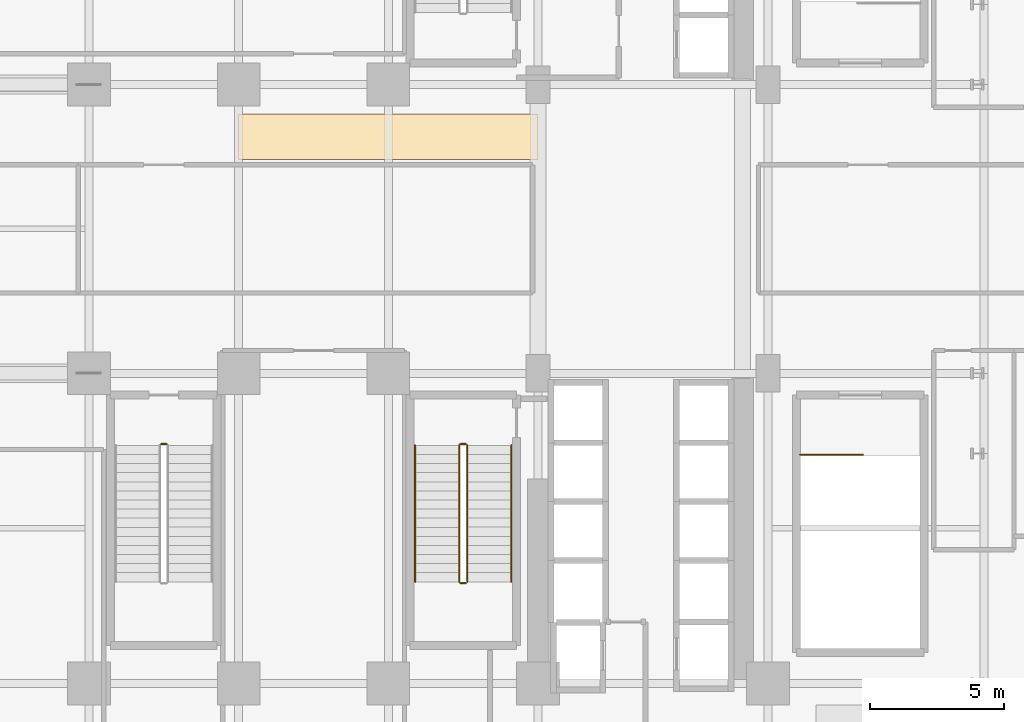
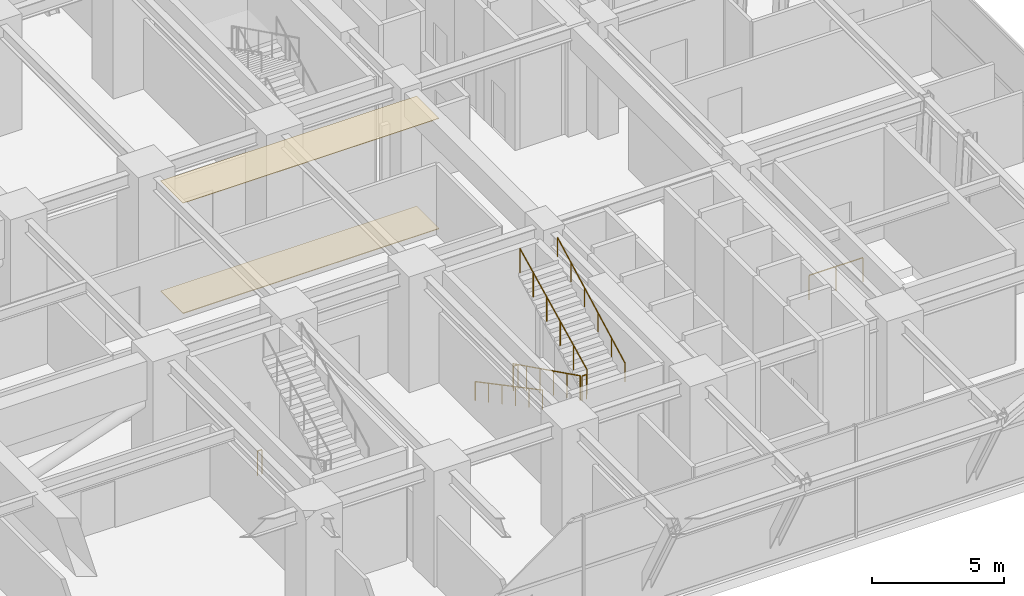
# One storey, part 26 of 29: 8 railings, 2 coverings.
"""IFC4 building model written with IfcOpenShell, lengths in metres."""

from ifc_helpers import new_model, si_unit, direction, frame, origin, origin_2d, place, context, subcontext, project, spatial, polyline, circle, outline, extrude, material, layer, layer_set, type_object, element, save


model = new_model("IFC4")

# Units and contexts
model_context = context("Model", 3, precision=1e-05, world=origin(), true_north=direction((0.0, 1.0)))
body_context = subcontext(model_context, "Body", "Model", "MODEL_VIEW")
ifc_project = project(units=[si_unit("LENGTHUNIT", "METRE"), si_unit("AREAUNIT", "SQUARE_METRE"), si_unit("VOLUMEUNIT", "CUBIC_METRE"), si_unit("PLANEANGLEUNIT", "RADIAN"), si_unit("MASSUNIT", "GRAM", prefix="KILO")], contexts=[model_context])

# Site, building, storey
site_placement = place(None, origin())
site = spatial("IfcSite", under=ifc_project, at=site_placement, CompositionType="ELEMENT")
building_placement = place(site_placement, origin())
building = spatial("IfcBuilding", under=site, at=building_placement, Name="Nahalor Promenade Grand Hotel", CompositionType="ELEMENT")
storey_placement = place(building_placement, frame((0.0, 0.0, 27.0)))
storey = spatial("IfcBuildingStorey", under=building, at=storey_placement, Name="L05", CompositionType="ELEMENT", Elevation=27.0)

# Coverings
ifc_material_1 = material(Name="Acoustic Mineral Gypsum", Category="gypsum")
ifc_layer_1 = layer(ifc_material_1, 0.02490234375)
ifc_layer_set_1 = layer_set([ifc_layer_1], Name="Acoustic Mineral Gypsum")
covering_type_1 = type_object("IfcCoveringType", Name="Acoustic Suspended Ceiling Tile", PredefinedType="CEILING", material=ifc_layer_set_1)
covering_1_placement = place(storey_placement, frame((0.0, 0.0, 5.094970703125)))
element("IfcCovering", 1, at=covering_1_placement, inside=storey, type_object=covering_type_1, Name="CV-CEIL-L05", PredefinedType="CEILING", context=body_context, shape_type="SweptSolid", body=[
    extrude(outline(polyline([(-2.800048828125, 2.60009765625), (8.39990234375, 2.60009765625), (8.39990234375, 4.300048828125), (-2.800048828125, 4.300048828125), (-2.800048828125, 2.60009765625)])), origin(), (0.0, 0.0, 1.0), 0.025146484375),
])
ifc_material_2 = material(Name="Jerusalem Limestone Flooring", Category="masonry")
ifc_layer_2 = layer(ifc_material_2, 0.030029296875)
ifc_layer_set_2 = layer_set([ifc_layer_2], Name="Jerusalem Limestone Flooring")
covering_type_2 = type_object("IfcCoveringType", Name="Honed Limestone Floor Finish", PredefinedType="FLOORING", material=ifc_layer_set_2)
covering_2_placement = place(storey_placement, origin())
element("IfcCovering", 2, at=covering_2_placement, inside=storey, type_object=covering_type_2, Name="CV-FLOR-L05", PredefinedType="FLOORING", context=body_context, shape_type="SweptSolid", body=[
    extrude(outline(polyline([(-2.800048828125, 2.60009765625), (8.39990234375, 2.60009765625), (8.39990234375, 4.300048828125), (-2.800048828125, 4.300048828125), (-2.800048828125, 2.60009765625)])), origin(), (0.0, 0.0, 1.0), 0.030029296875),
])

# Railings
ifc_material_3 = material(Name="Steel S355JR", Category="steel")
railing_type_1 = type_object("IfcRailingType", Name="Steel Stair Guardrail 1150 mm", PredefinedType="GUARDRAIL", material=ifc_material_3)
railing_1_placement = place(storey_placement, frame((5.449951171875, -8.10009765625, 0.168701171875)))
element("IfcRailing", 3, at=railing_1_placement, inside=storey, type_object=railing_type_1, Name="L05 ST2 stair guard 1", PredefinedType="GUARDRAIL", context=body_context, shape_type="SweptSolid", body=[
    extrude(circle(Radius=0.024048, at=origin_2d()), frame((0.0, 0.0, 1.1259765625), z_axis=(0.0, -0.895735491292, 0.444587370086), x_axis=(1.0, 0.0, 0.0)), (0.0, 0.0, 1.0), 5.693603515625),
    extrude(circle(Radius=0.020996, at=origin_2d()), origin(), (0.0, 0.0, 1.0), 1.099853515625),
    extrude(circle(Radius=0.020996, at=origin_2d()), frame((0.0, -1.02001953125, 0.50634765625)), (0.0, 0.0, 1.0), 1.099853515625),
    extrude(circle(Radius=0.020996, at=origin_2d()), frame((0.0, -2.0400390625, 1.012451171875)), (0.0, 0.0, 1.0), 1.099853515625),
    extrude(circle(Radius=0.020996, at=origin_2d()), frame((0.0, -3.059814453125, 1.518798828125)), (0.0, 0.0, 1.0), 1.099853515625),
    extrude(circle(Radius=0.020996, at=origin_2d()), frame((0.0, -4.079833984375, 2.02490234375)), (0.0, 0.0, 1.0), 1.099853515625),
    extrude(circle(Radius=0.020996, at=origin_2d()), frame((0.0, -5.099853515625, 2.53125)), (0.0, 0.0, 1.0), 1.099853515625),
])
railing_2_placement = place(storey_placement, frame((5.5, -13.25, 2.699951171875)))
element("IfcRailing", 4, at=railing_2_placement, inside=storey, type_object=railing_type_1, Name="L05 ST2 stair guard 2", PredefinedType="GUARDRAIL", context=body_context, shape_type="SweptSolid", body=[
    extrude(circle(Radius=0.024048, at=origin_2d()), frame((0.0, 0.0, 1.1259765625), z_axis=(1.0, 0.0, 0.0), x_axis=(0.0, 1.0, 0.0)), (0.0, 0.0, 1.0), 0.199951171875),
    extrude(circle(Radius=0.020996, at=origin_2d()), origin(), (0.0, 0.0, 1.0), 1.099853515625),
    extrude(circle(Radius=0.020996, at=origin_2d()), frame((0.199951171875, 0.0, 0.0)), (0.0, 0.0, 1.0), 1.099853515625),
])
railing_3_placement = place(storey_placement, frame((5.75, -13.199951171875, 2.86865234375)))
element("IfcRailing", 5, at=railing_3_placement, inside=storey, type_object=railing_type_1, Name="L05 ST2 stair guard 3", PredefinedType="GUARDRAIL", context=body_context, shape_type="SweptSolid", body=[
    extrude(circle(Radius=0.024048, at=origin_2d()), frame((0.0, 0.0, 1.1259765625), z_axis=(0.0, 0.895735491292, 0.444587370086), x_axis=(-1.0, 0.0, 0.0)), (0.0, 0.0, 1.0), 5.693603515625),
    extrude(circle(Radius=0.020996, at=origin_2d()), origin(), (0.0, 0.0, 1.0), 1.099853515625),
    extrude(circle(Radius=0.020996, at=origin_2d()), frame((0.0, 1.02001953125, 0.50634765625)), (0.0, 0.0, 1.0), 1.099853515625),
    extrude(circle(Radius=0.020996, at=origin_2d()), frame((0.0, 2.0400390625, 1.012451171875)), (0.0, 0.0, 1.0), 1.099853515625),
    extrude(circle(Radius=0.020996, at=origin_2d()), frame((0.0, 3.059814453125, 1.518798828125)), (0.0, 0.0, 1.0), 1.099853515625),
    extrude(circle(Radius=0.020996, at=origin_2d()), frame((0.0, 4.079833984375, 2.02490234375)), (0.0, 0.0, 1.0), 1.099853515625),
    extrude(circle(Radius=0.020996, at=origin_2d()), frame((0.0, 5.099853515625, 2.53125)), (0.0, 0.0, 1.0), 1.099853515625),
])
for number, where, name in (
    (6, (5.5, -8.050048828125, 0.0), "L05 ST2 stair guard 4"),
    (7, (-5.699951171875, -8.050048828125, 0.0), "L05 ST3 stair guard 4"),
):
    element("IfcRailing", number, at=place(storey_placement, frame(where)), inside=storey, type_object=railing_type_1, Name=name, PredefinedType="GUARDRAIL", context=body_context, shape_type="SweptSolid", body=[
        extrude(circle(Radius=0.024048, at=origin_2d()), frame((0.0, 0.0, 1.1259765625), z_axis=(1.0, 0.0, 0.0), x_axis=(0.0, 1.0, 0.0)), (0.0, 0.0, 1.0), 0.199951171875),
        extrude(circle(Radius=0.020996, at=origin_2d()), origin(), (0.0, 0.0, 1.0), 1.099853515625),
        extrude(circle(Radius=0.020996, at=origin_2d()), frame((0.199951171875, 0.0, 0.0)), (0.0, 0.0, 1.0), 1.099853515625),
    ])
railing_4_placement = place(storey_placement, frame((18.199951171875, -8.449951171875, 0.0)))
element("IfcRailing", 8, at=railing_4_placement, inside=storey, type_object=railing_type_1, Name="L05 ST5 top well guard 1", PredefinedType="GUARDRAIL", context=body_context, shape_type="SweptSolid", body=[
    extrude(circle(Radius=0.024048, at=origin_2d()), frame((0.0, 0.0, 1.1259765625), z_axis=(1.0, 0.0, 0.0), x_axis=(0.0, 1.0, 0.0)), (0.0, 0.0, 1.0), 2.35009765625),
    extrude(circle(Radius=0.020996, at=origin_2d()), origin(), (0.0, 0.0, 1.0), 1.099853515625),
    extrude(circle(Radius=0.020996, at=origin_2d()), frame((1.175048828125, 0.0, 0.0)), (0.0, 0.0, 1.0), 1.099853515625),
    extrude(circle(Radius=0.020996, at=origin_2d()), frame((2.35009765625, 0.0, 0.0)), (0.0, 0.0, 1.0), 1.099853515625),
])
railing_type_2 = type_object("IfcRailingType", Name="Steel Stair Handrail 900 mm", PredefinedType="HANDRAIL", material=ifc_material_3)
railing_5_placement = place(storey_placement, frame((3.800048828125, -8.10009765625, 0.168701171875)))
element("IfcRailing", 9, at=railing_5_placement, inside=storey, type_object=railing_type_2, Name="L05 ST2 stair handrail 1", PredefinedType="HANDRAIL", context=body_context, shape_type="SweptSolid", body=[
    extrude(circle(Radius=0.024048, at=origin_2d()), frame((0.0, 0.0, 0.8759765625), z_axis=(0.0, -0.883785858079, 0.467891608238), x_axis=(1.0, 0.0, 0.0)), (0.0, 0.0, 1.0), 5.7705078125),
    extrude(circle(Radius=0.020996, at=origin_2d()), origin(), (0.0, 0.0, 1.0), 0.849853515625),
    extrude(circle(Radius=0.020996, at=origin_2d()), frame((0.0, -1.02001953125, 0.5400390625)), (0.0, 0.0, 1.0), 0.849853515625),
    extrude(circle(Radius=0.020996, at=origin_2d()), frame((0.0, -2.0400390625, 1.080078125)), (0.0, 0.0, 1.0), 0.849853515625),
    extrude(circle(Radius=0.020996, at=origin_2d()), frame((0.0, -3.059814453125, 1.619873046875)), (0.0, 0.0, 1.0), 0.849853515625),
    extrude(circle(Radius=0.020996, at=origin_2d()), frame((0.0, -4.079833984375, 2.159912109375)), (0.0, 0.0, 1.0), 0.849853515625),
    extrude(circle(Radius=0.020996, at=origin_2d()), frame((0.0, -5.099853515625, 2.699951171875)), (0.0, 0.0, 1.0), 0.849853515625),
])
railing_6_placement = place(storey_placement, frame((7.39990234375, -13.199951171875, 2.86865234375)))
element("IfcRailing", 10, at=railing_6_placement, inside=storey, type_object=railing_type_2, Name="L05 ST2 stair handrail 2", PredefinedType="HANDRAIL", context=body_context, shape_type="SweptSolid", body=[
    extrude(circle(Radius=0.024048, at=origin_2d()), frame((0.0, 0.0, 0.8759765625), z_axis=(0.0, 0.883768362495, 0.467924653607), x_axis=(-1.0, 0.0, 0.0)), (0.0, 0.0, 1.0), 5.7705078125),
    extrude(circle(Radius=0.020996, at=origin_2d()), origin(), (0.0, 0.0, 1.0), 0.849853515625),
    extrude(circle(Radius=0.020996, at=origin_2d()), frame((0.0, 1.02001953125, 0.5400390625)), (0.0, 0.0, 1.0), 0.849853515625),
    extrude(circle(Radius=0.020996, at=origin_2d()), frame((0.0, 2.0400390625, 1.080078125)), (0.0, 0.0, 1.0), 0.849853515625),
    extrude(circle(Radius=0.020996, at=origin_2d()), frame((0.0, 3.059814453125, 1.6201171875)), (0.0, 0.0, 1.0), 0.849853515625),
    extrude(circle(Radius=0.020996, at=origin_2d()), frame((0.0, 4.079833984375, 2.16015625)), (0.0, 0.0, 1.0), 0.849853515625),
    extrude(circle(Radius=0.020996, at=origin_2d()), frame((0.0, 5.099853515625, 2.7001953125)), (0.0, 0.0, 1.0), 0.849853515625),
])

save(model, "model.ifc")
